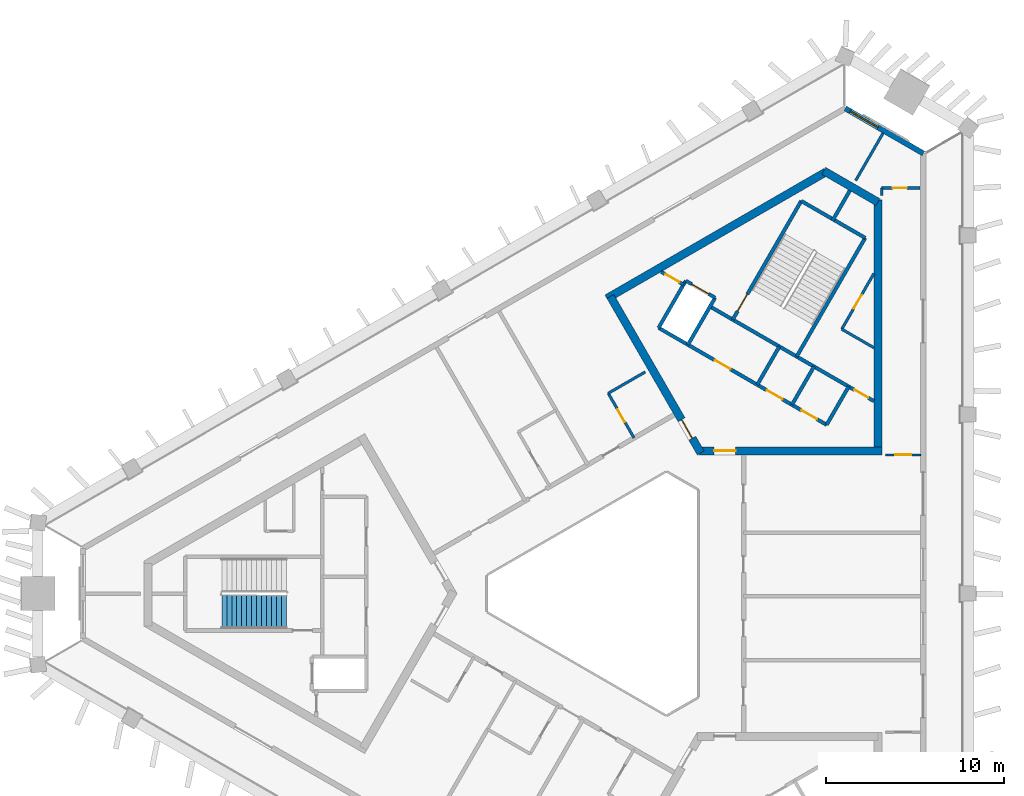
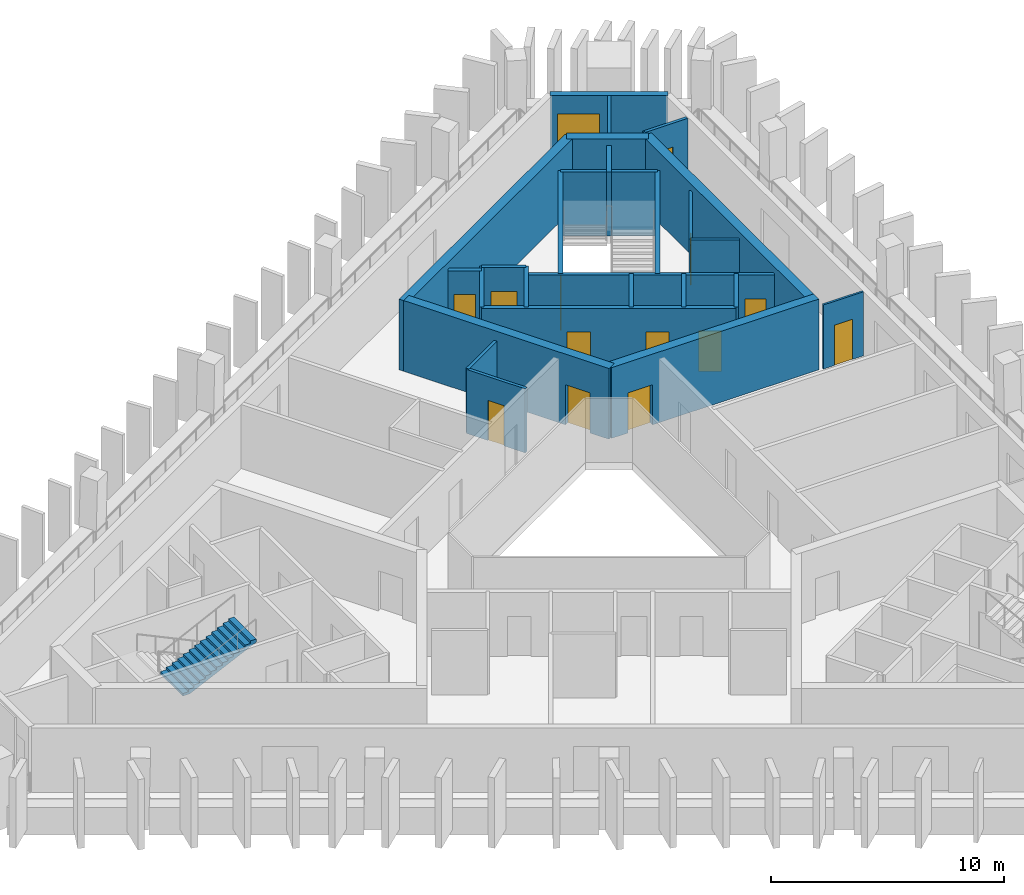
# One storey, part 5 of 9: 27 walls, 13 doors, 1 stair flight, 1 window, 14 openings, 1 element without a shape of its own.
"""IFC4 building model written with IfcOpenShell, lengths in metres."""

from ifc_helpers import new_model, si_unit, direction, frame, frame_2d, origin, place, context, subcontext, project, spatial, polyline, rectangle, outline, extrude, material, layer, layer_set, type_object, element, fill, aggregate, save


model = new_model("IFC4")

# Units and contexts
model_context = context("Model", 3, precision=1e-05, world=origin(), true_north=direction((0.0, 1.0)))
body_context = subcontext(model_context, "Body", "Model", "MODEL_VIEW")
ifc_project = project(units=[si_unit("LENGTHUNIT", "METRE"), si_unit("AREAUNIT", "SQUARE_METRE"), si_unit("VOLUMEUNIT", "CUBIC_METRE"), si_unit("PLANEANGLEUNIT", "RADIAN"), si_unit("MASSUNIT", "GRAM", prefix="KILO")], contexts=[model_context])

# Site, building, storey
site_placement = place(None, origin())
site = spatial("IfcSite", under=ifc_project, at=site_placement, CompositionType="ELEMENT")
building_placement = place(site_placement, origin())
building = spatial("IfcBuilding", under=site, at=building_placement, Name="Jabali Bay Hotel Tower and Convention Centre", CompositionType="ELEMENT")
storey_placement = place(building_placement, frame((0.0, 0.0, 242.800048828125)))
storey = spatial("IfcBuildingStorey", under=building, at=storey_placement, Name="L60", CompositionType="ELEMENT", Elevation=242.800048828125)

# Wall
ifc_material_1 = material(Name="Concrete C40", Category="concrete")
ifc_layer_1 = layer(ifc_material_1, 0.199951171875)
ifc_layer_set_1 = layer_set([ifc_layer_1], Name="Concrete C40")
wall_type_1 = type_object("IfcWallType", Name="Core partition wall 200", PredefinedType="PARTITIONING", material=ifc_layer_set_1)
wall_1_placement = place(storey_placement, frame((87.090087890625, 100.9404296875, 0.0), z_axis=(0.0, 0.0, 1.0), x_axis=(0.500011643316, 0.866018681408, 0.0)))
element("IfcWall", 1, at=wall_1_placement, inside=storey, type_object=wall_type_1, Name="Core wall 1.5 L60", PredefinedType="PARTITIONING", context=body_context, shape_type="SweptSolid", body=[
    extrude(rectangle(XDim=1.97314453125, YDim=0.199951171875, at=frame_2d((0.986572265625, 0.0))), origin(), (0.0, 0.0, 1.0), 3.349853515625),
])

# Wall, opening, door
wall_2_placement = place(storey_placement, frame((78.730224609375, 97.36083984375, 0.0), z_axis=(0.0, 0.0, 1.0), x_axis=(-0.866045896294, 0.499964504253, 0.0)))
wall_2 = element("IfcWall", 2, at=wall_2_placement, inside=storey, type_object=wall_type_1, Name="Core wall 1.11 L60", PredefinedType="PARTITIONING", context=body_context, shape_type="SweptSolid", body=[
    extrude(rectangle(XDim=1.455078125, YDim=0.199951171875, at=frame_2d((0.7275390625, 0.0))), origin(), (0.0, 0.0, 1.0), 3.349853515625),
])
opening_1_placement = place(wall_2_placement, frame((0.277587890625, 0.0, 0.0)))
opening_1 = element("IfcOpeningElement", 3, at=opening_1_placement, cuts=wall_2, Name="Opening D1318", PredefinedType="OPENING", context=body_context, shape_type="SweptSolid", body=[
    extrude(rectangle(XDim=0.89990234375, YDim=2.10009765625, at=frame_2d((0.449951171875, 1.050048828125))), frame((0.0, 0.1103515625, 0.0), z_axis=(0.0, -1.0, 0.0), x_axis=(1.0, 0.0, 0.0)), (0.0, 0.0, 1.0), 0.220947265625),
])
ifc_material_2 = material(Name="Fire-rated steel door", Category="steel")
door_type_1 = type_object("IfcDoorType", Name="Vestibule fire door 900 x 2100", OperationType="NOTDEFINED", PredefinedType="NOTDEFINED", material=ifc_material_2)
door_1_placement = place(opening_1_placement, origin())
door_1 = element("IfcDoor", 4, at=door_1_placement, inside=storey, type_object=door_type_1, Name="Vestibule fire door D1318", OperationType="SINGLE_SWING_LEFT", OverallHeight=2.10009765625, OverallWidth=0.89990234375, PredefinedType="NOTDEFINED", context=body_context, shape_type="SweptSolid", body=[
    extrude(rectangle(XDim=0.89990234375, YDim=2.10009765625, at=frame_2d((0.449951171875, 1.050048828125))), frame((0.0, 0.02490234375, 0.0), z_axis=(0.0, -1.0, 0.0), x_axis=(1.0, 0.0, 0.0)), (0.0, 0.0, 1.0), 0.050048828125),
])
fill(opening_1, door_1)

ifc_material_3 = material(Name="Fire-rated board partition")
ifc_layer_2 = layer(ifc_material_3, 0.14990234375)
ifc_layer_set_2 = layer_set([ifc_layer_2], Name="Fire-rated board partition")
wall_type_2 = type_object("IfcWallType", Name="Core room partition 150", PredefinedType="PARTITIONING", material=ifc_layer_set_2)
wall_3_placement = place(storey_placement, frame((87.62109375, 94.8603515625, 0.0), z_axis=(0.0, 0.0, 1.0), x_axis=(0.499993116331, 0.866029378036, 0.0)))
wall_3 = element("IfcWall", 5, at=wall_3_placement, inside=storey, type_object=wall_type_2, Name="Core wall 1.1 L60", PredefinedType="PARTITIONING", context=body_context, shape_type="SweptSolid", body=[
    extrude(rectangle(XDim=3.61767578125, YDim=0.14990234375, at=frame_2d((1.808837890625, 0.0))), origin(), (0.0, 0.0, 1.0), 3.349853515625),
])
opening_2_placement = place(wall_3_placement, frame((1.33154296875, 0.0, 0.0)))
opening_2 = element("IfcOpeningElement", 6, at=opening_2_placement, cuts=wall_3, Name="Opening D1321", PredefinedType="OPENING", context=body_context, shape_type="SweptSolid", body=[
    extrude(rectangle(XDim=0.89990234375, YDim=2.10009765625, at=frame_2d((0.449951171875, 1.050048828125))), frame((0.0, 0.08544921875, 0.0), z_axis=(0.0, -1.0, 0.0), x_axis=(1.0, 0.0, 0.0)), (0.0, 0.0, 1.0), 0.1708984375),
])
door_type_2 = type_object("IfcDoorType", Name="Core room door 900 x 2100", OperationType="NOTDEFINED", PredefinedType="NOTDEFINED", material=ifc_material_2)
door_2_placement = place(opening_2_placement, origin())
door_2 = element("IfcDoor", 7, at=door_2_placement, inside=storey, type_object=door_type_2, Name="Core room door D1321", OperationType="SINGLE_SWING_LEFT", OverallHeight=2.10009765625, OverallWidth=0.89990234375, PredefinedType="NOTDEFINED", context=body_context, shape_type="SweptSolid", body=[
    extrude(rectangle(XDim=0.89990234375, YDim=2.10009765625, at=frame_2d((0.449951171875, 1.050048828125))), frame((0.0, 0.02490234375, 0.0), z_axis=(0.0, -1.0, 0.0), x_axis=(1.0, 0.0, 0.0)), (0.0, 0.0, 1.0), 0.050048828125),
])
fill(opening_2, door_2)

# Walls
wall_4_placement = place(storey_placement, frame((89.429931640625, 93.81591796875, 0.0), z_axis=(0.0, 0.0, 1.0), x_axis=(-0.866004557827, 0.500036104519, 0.0)))
element("IfcWall", 8, at=wall_4_placement, inside=storey, type_object=wall_type_2, Name="Core wall 1.13 L60", PredefinedType="PARTITIONING", context=body_context, shape_type="SweptSolid", body=[
    extrude(rectangle(XDim=2.088623046875, YDim=0.14990234375, at=frame_2d((1.04443359375, 0.0))), origin(), (0.0, 0.0, 1.0), 3.349853515625),
])
ifc_layer_3 = layer(ifc_material_1, 0.199951171875)
ifc_layer_set_3 = layer_set([ifc_layer_3], Name="Concrete C40")
wall_type_3 = type_object("IfcWallType", Name="Core stair wall 200", PredefinedType="SOLIDWALL", material=ifc_layer_set_3)
for number, where, z_axis, x_axis, name in (
    (9, (86.769775390625, 89.48583984375, 0.0), (0.0, 0.0, 1.0), (0.499961042966, 0.86604789447, 0.0), "Core wall 1.0 L60"),
    (10, (84.8212890625, 90.61083984375, 0.0), (0.0, 0.0, 1.0), (0.499961042966, 0.86604789447, 0.0), "Core wall 1.2 L60"),
):
    element("IfcWall", number, at=place(storey_placement, frame(where, z_axis=z_axis, x_axis=x_axis)), inside=storey, type_object=wall_type_3, Name=name, PredefinedType="SOLIDWALL", context=body_context, shape_type="SweptSolid", body=[
        extrude(rectangle(XDim=2.480224609375, YDim=0.199951171875, at=frame_2d((1.240234375, 0.0))), origin(), (0.0, 0.0, 1.0), 3.349853515625),
    ])
wall_5_placement = place(storey_placement, frame((85.0869140625, 93.3212890625, 0.0), z_axis=(0.0, 0.0, 1.0), x_axis=(0.500019787375, 0.866013979237, 0.0)))
element("IfcWall", 11, at=wall_5_placement, inside=storey, type_object=wall_type_3, Name="Core wall 1.3 L60", PredefinedType="SOLIDWALL", context=body_context, shape_type="SweptSolid", body=[
    extrude(rectangle(XDim=7.699951171875, YDim=0.199951171875, at=frame_2d((3.85009765625, 0.0))), origin(), (0.0, 0.0, 1.0), 3.349853515625),
])
wall_6_placement = place(storey_placement, frame((82.872802734375, 91.73583984375, 0.0), z_axis=(0.0, 0.0, 1.0), x_axis=(0.499961042966, 0.86604789447, 0.0)))
element("IfcWall", 12, at=wall_6_placement, inside=storey, type_object=wall_type_3, Name="Core wall 1.4 L60", PredefinedType="SOLIDWALL", context=body_context, shape_type="SweptSolid", body=[
    extrude(rectangle(XDim=2.480224609375, YDim=0.199951171875, at=frame_2d((1.240234375, 0.0))), origin(), (0.0, 0.0, 1.0), 3.349853515625),
])

# Wall, opening, door
wall_7_placement = place(storey_placement, frame((81.492919921875, 95.396240234375, 0.0), z_axis=(0.0, 0.0, 1.0), x_axis=(0.500006057782, 0.866021906294, 0.0)))
wall_7 = element("IfcWall", 13, at=wall_7_placement, inside=storey, type_object=wall_type_3, Name="Core wall 1.6 L60", PredefinedType="SOLIDWALL", context=body_context, shape_type="SweptSolid", body=[
    extrude(rectangle(XDim=7.7001953125, YDim=0.199951171875, at=frame_2d((3.85009765625, 0.0))), origin(), (0.0, 0.0, 1.0), 3.349853515625),
])
opening_3_placement = place(wall_7_placement, frame((0.550048828125, 0.0, 0.0)))
opening_3 = element("IfcOpeningElement", 14, at=opening_3_placement, cuts=wall_7, Name="Opening D1320", PredefinedType="OPENING", context=body_context, shape_type="SweptSolid", body=[
    extrude(rectangle(XDim=1.10009765625, YDim=2.10009765625, at=frame_2d((0.550048828125, 1.050048828125))), frame((0.0, 0.1103515625, 0.0), z_axis=(0.0, -1.0, 0.0), x_axis=(1.0, 0.0, 0.0)), (0.0, 0.0, 1.0), 0.220947265625),
])
door_type_3 = type_object("IfcDoorType", Name="Stair fire door 1100 x 2100", OperationType="NOTDEFINED", PredefinedType="NOTDEFINED", material=ifc_material_2)
door_3_placement = place(opening_3_placement, origin())
door_3 = element("IfcDoor", 15, at=door_3_placement, inside=storey, type_object=door_type_3, Name="Stair fire door D1320", OperationType="SINGLE_SWING_RIGHT", OverallHeight=2.10009765625, OverallWidth=1.10009765625, PredefinedType="NOTDEFINED", context=body_context, shape_type="SweptSolid", body=[
    extrude(rectangle(XDim=1.10009765625, YDim=2.10009765625, at=frame_2d((0.550048828125, 1.050048828125))), frame((0.0, 0.02490234375, 0.0), z_axis=(0.0, -1.0, 0.0), x_axis=(1.0, 0.0, 0.0)), (0.0, 0.0, 1.0), 0.050048828125),
])
fill(opening_3, door_3)

# Walls
for number, where, z_axis, x_axis, name in (
    (16, (78.9755859375, 93.98583984375, 0.0), (0.0, 0.0, 1.0), (0.499944174705, 0.866057632134, 0.0), "Core wall 1.7 L60"),
    (17, (77.330078125, 94.93603515625, 0.0), (0.0, 0.0, 1.0), (0.500038867431, 0.8660029625, 0.0), "Core wall 1.8 L60"),
):
    element("IfcWall", number, at=place(storey_placement, frame(where, z_axis=z_axis, x_axis=x_axis)), inside=storey, type_object=wall_type_3, Name=name, PredefinedType="SOLIDWALL", context=body_context, shape_type="SweptSolid", body=[
        extrude(rectangle(XDim=3.050048828125, YDim=0.199951171875, at=frame_2d((1.52490234375, 0.0))), origin(), (0.0, 0.0, 1.0), 3.349853515625),
    ])

# Wall, openings, doors
wall_8_placement = place(storey_placement, frame((86.769775390625, 89.48583984375, 0.0), z_axis=(0.0, 0.0, 1.0), x_axis=(-0.86601811187, 0.500012629753, 0.0)))
wall_8 = element("IfcWall", 18, at=wall_8_placement, inside=storey, type_object=wall_type_3, Name="Core wall 1.9 L60", PredefinedType="SOLIDWALL", context=body_context, shape_type="SweptSolid", body=[
    extrude(rectangle(XDim=10.900146484375, YDim=0.199951171875, at=frame_2d((5.4501953125, 0.0))), origin(), (0.0, 0.0, 1.0), 3.349853515625),
])
opening_4_placement = place(wall_8_placement, frame((0.625, 0.0, 0.0)))
opening_4 = element("IfcOpeningElement", 19, at=opening_4_placement, cuts=wall_8, Name="Opening D1315", PredefinedType="OPENING", context=body_context, shape_type="SweptSolid", body=[
    extrude(rectangle(XDim=1.0, YDim=2.10009765625, at=frame_2d((0.5, 1.050048828125))), frame((0.0, 0.1103515625, 0.0), z_axis=(0.0, -1.0, 0.0), x_axis=(1.0, 0.0, 0.0)), (0.0, 0.0, 1.0), 0.220947265625),
])
opening_5_placement = place(wall_8_placement, frame((2.875, 0.0, 0.0)))
opening_5 = element("IfcOpeningElement", 20, at=opening_5_placement, cuts=wall_8, Name="Opening D1316", PredefinedType="OPENING", context=body_context, shape_type="SweptSolid", body=[
    extrude(rectangle(XDim=1.0, YDim=2.10009765625, at=frame_2d((0.5, 1.050048828125))), frame((0.0, 0.1103515625, 0.0), z_axis=(0.0, -1.0, 0.0), x_axis=(1.0, 0.0, 0.0)), (0.0, 0.0, 1.0), 0.220947265625),
])
opening_6_placement = place(wall_8_placement, frame((6.25, 0.0, 0.0)))
opening_6 = element("IfcOpeningElement", 21, at=opening_6_placement, cuts=wall_8, Name="Opening D1317", PredefinedType="OPENING", context=body_context, shape_type="SweptSolid", body=[
    extrude(rectangle(XDim=1.0, YDim=2.10009765625, at=frame_2d((0.5, 1.050048828125))), frame((0.0, 0.1103515625, 0.0), z_axis=(0.0, -1.0, 0.0), x_axis=(1.0, 0.0, 0.0)), (0.0, 0.0, 1.0), 0.220947265625),
])
door_type_4 = type_object("IfcDoorType", Name="Core room door 1000 x 2100", OperationType="NOTDEFINED", PredefinedType="NOTDEFINED", material=ifc_material_2)
door_4_placement = place(opening_4_placement, origin())
door_4 = element("IfcDoor", 22, at=door_4_placement, inside=storey, type_object=door_type_4, Name="Core room door D1315", OperationType="SINGLE_SWING_RIGHT", OverallHeight=2.10009765625, OverallWidth=1.0, PredefinedType="NOTDEFINED", context=body_context, shape_type="SweptSolid", body=[
    extrude(rectangle(XDim=1.0, YDim=2.10009765625, at=frame_2d((0.5, 1.050048828125))), frame((0.0, 0.02490234375, 0.0), z_axis=(0.0, -1.0, 0.0), x_axis=(1.0, 0.0, 0.0)), (0.0, 0.0, 1.0), 0.050048828125),
])
fill(opening_4, door_4)
door_5_placement = place(opening_5_placement, origin())
door_5 = element("IfcDoor", 23, at=door_5_placement, inside=storey, type_object=door_type_4, Name="Core room door D1316", OperationType="SINGLE_SWING_RIGHT", OverallHeight=2.10009765625, OverallWidth=1.0, PredefinedType="NOTDEFINED", context=body_context, shape_type="SweptSolid", body=[
    extrude(rectangle(XDim=1.0, YDim=2.10009765625, at=frame_2d((0.5, 1.050048828125))), frame((0.0, 0.02490234375, 0.0), z_axis=(0.0, -1.0, 0.0), x_axis=(1.0, 0.0, 0.0)), (0.0, 0.0, 1.0), 0.050048828125),
])
fill(opening_5, door_5)
door_6_placement = place(opening_6_placement, origin())
door_6 = element("IfcDoor", 24, at=door_6_placement, inside=storey, type_object=door_type_4, Name="Core room door D1317", OperationType="SINGLE_SWING_RIGHT", OverallHeight=2.10009765625, OverallWidth=1.0, PredefinedType="NOTDEFINED", context=body_context, shape_type="SweptSolid", body=[
    extrude(rectangle(XDim=1.0, YDim=2.10009765625, at=frame_2d((0.5, 1.050048828125))), frame((0.0, 0.02490234375, 0.0), z_axis=(0.0, -1.0, 0.0), x_axis=(1.0, 0.0, 0.0)), (0.0, 0.0, 1.0), 0.050048828125),
])
fill(opening_6, door_6)

# Wall, opening, door
wall_9_placement = place(storey_placement, frame((89.429931640625, 90.813720703125, 0.0), z_axis=(0.0, 0.0, 1.0), x_axis=(-0.866018983788, 0.500011119594, 0.0)))
wall_9 = element("IfcWall", 25, at=wall_9_placement, inside=storey, type_object=wall_type_3, Name="Core wall 1.10 L60", PredefinedType="SOLIDWALL", context=body_context, shape_type="SweptSolid", body=[
    extrude(rectangle(XDim=10.639892578125, YDim=0.199951171875, at=frame_2d((5.31982421875, 0.0))), origin(), (0.0, 0.0, 1.0), 3.349853515625),
])
opening_7_placement = place(wall_9_placement, frame((0.369873046875, 0.0, 0.0)))
opening_7 = element("IfcOpeningElement", 26, at=opening_7_placement, cuts=wall_9, Name="Opening D1319", PredefinedType="OPENING", context=body_context, shape_type="SweptSolid", body=[
    extrude(rectangle(XDim=0.89990234375, YDim=2.10009765625, at=frame_2d((0.449951171875, 1.050048828125))), frame((0.0, 0.1103515625, 0.0), z_axis=(0.0, -1.0, 0.0), x_axis=(1.0, 0.0, 0.0)), (0.0, 0.0, 1.0), 0.220947265625),
])
door_7_placement = place(opening_7_placement, origin())
door_7 = element("IfcDoor", 27, at=door_7_placement, inside=storey, type_object=door_type_1, Name="Vestibule fire door D1319", OperationType="SINGLE_SWING_LEFT", OverallHeight=2.10009765625, OverallWidth=0.89990234375, PredefinedType="NOTDEFINED", context=body_context, shape_type="SweptSolid", body=[
    extrude(rectangle(XDim=0.89990234375, YDim=2.10009765625, at=frame_2d((0.449951171875, 1.050048828125))), frame((0.0, 0.02490234375, 0.0), z_axis=(0.0, -1.0, 0.0), x_axis=(1.0, 0.0, 0.0)), (0.0, 0.0, 1.0), 0.050048828125),
])
fill(opening_7, door_7)

wall_10_placement = place(storey_placement, frame((80.50048828125, 96.62744140625, 0.0), z_axis=(0.0, 0.0, 1.0), x_axis=(-0.86601224135, 0.500022797313, 0.0)))
wall_10 = element("IfcWall", 28, at=wall_10_placement, inside=storey, type_object=wall_type_3, Name="Core wall 1.12 L60", PredefinedType="SOLIDWALL", context=body_context, shape_type="SweptSolid", body=[
    extrude(rectangle(XDim=1.89990234375, YDim=0.199951171875, at=frame_2d((0.949951171875, 0.0))), origin(), (0.0, 0.0, 1.0), 3.349853515625),
])
opening_8_placement = place(wall_10_placement, frame((0.39990234375, 0.0, 0.0)))
opening_8 = element("IfcOpeningElement", 29, at=opening_8_placement, cuts=wall_10, Name="Opening LD10-L60", PredefinedType="OPENING", context=body_context, shape_type="SweptSolid", body=[
    extrude(rectangle(XDim=1.10009765625, YDim=2.10009765625, at=frame_2d((0.550048828125, 1.050048828125))), frame((0.0, 0.1103515625, 0.0), z_axis=(0.0, -1.0, 0.0), x_axis=(1.0, 0.0, 0.0)), (0.0, 0.0, 1.0), 0.220947265625),
])
ifc_material_4 = material(Name="Stainless steel landing door", Category="steel")
door_type_5 = type_object("IfcDoorType", Name="Landing door 1100 x 2100", OperationType="NOTDEFINED", PredefinedType="NOTDEFINED", material=ifc_material_4)
door_8_placement = place(opening_8_placement, origin())
door_8 = element("IfcDoor", 30, at=door_8_placement, inside=storey, type_object=door_type_5, Name="Landing doors LD10-L60", OperationType="SLIDING_TO_RIGHT", OverallHeight=2.10009765625, OverallWidth=1.10009765625, PredefinedType="NOTDEFINED", context=body_context, shape_type="SweptSolid", body=[
    extrude(rectangle(XDim=1.10009765625, YDim=2.10009765625, at=frame_2d((0.550048828125, 1.050048828125))), frame((0.0, 0.02490234375, 0.0), z_axis=(0.0, -1.0, 0.0), x_axis=(1.0, 0.0, 0.0)), (0.0, 0.0, 1.0), 0.050048828125),
])
fill(opening_8, door_8)

# Wall
wall_11_placement = place(storey_placement, frame((88.93701171875, 99.989501953125, 0.0), z_axis=(0.0, 0.0, 1.0), x_axis=(-0.866004344652, 0.500036473714, 0.0)))
element("IfcWall", 31, at=wall_11_placement, inside=storey, type_object=wall_type_3, Name="Core wall 1.14 L60", PredefinedType="SOLIDWALL", context=body_context, shape_type="SweptSolid", body=[
    extrude(rectangle(XDim=4.150146484375, YDim=0.199951171875, at=frame_2d((2.0751953125, 0.0))), origin(), (0.0, 0.0, 1.0), 3.349853515625),
])

# Wall, opening, door
ifc_material_5 = material(Name="Concrete C60", Category="concrete")
ifc_layer_4 = layer(ifc_material_5, 0.449951171875)
ifc_layer_set_4 = layer_set([ifc_layer_4], Name="Concrete C60")
wall_type_4 = type_object("IfcWallType", Name="Core wall 450", PredefinedType="SHEAR", material=ifc_layer_set_4)
wall_12_placement = place(storey_placement, frame((79.6298828125, 88.019287109375, 0.0), z_axis=(0.0, 0.0, 1.0), x_axis=(1.0, 0.0, 0.0)))
wall_12 = element("IfcWall", 32, at=wall_12_placement, inside=storey, type_object=wall_type_4, Name="Core wall 2.1 L60", PredefinedType="SHEAR", context=body_context, shape_type="SweptSolid", body=[
    extrude(rectangle(XDim=10.25, YDim=0.449951171875, at=frame_2d((5.125, 0.0))), origin(), (0.0, 0.0, 1.0), 3.699951171875),
])
opening_9_placement = place(wall_12_placement, frame((0.820068359375, 0.0, 0.0)))
opening_9 = element("IfcOpeningElement", 33, at=opening_9_placement, cuts=wall_12, Name="Opening D1313", PredefinedType="OPENING", context=body_context, shape_type="SweptSolid", body=[
    extrude(rectangle(XDim=1.199951171875, YDim=2.10009765625, at=frame_2d((0.60009765625, 1.050048828125))), frame((0.0, 0.2353515625, 0.0), z_axis=(0.0, -1.0, 0.0), x_axis=(1.0, 0.0, 0.0)), (0.0, 0.0, 1.0), 0.470947265625),
])
door_type_6 = type_object("IfcDoorType", Name="Corridor end fire door 1200 x 2100", OperationType="NOTDEFINED", PredefinedType="NOTDEFINED", material=ifc_material_2)
door_9_placement = place(opening_9_placement, origin())
door_9 = element("IfcDoor", 34, at=door_9_placement, inside=storey, type_object=door_type_6, Name="Corridor end fire door D1313", OperationType="SINGLE_SWING_RIGHT", OverallHeight=2.10009765625, OverallWidth=1.199951171875, PredefinedType="NOTDEFINED", context=body_context, shape_type="SweptSolid", body=[
    extrude(rectangle(XDim=1.199951171875, YDim=2.10009765625, at=frame_2d((0.60009765625, 1.050048828125))), frame((0.0, 0.02490234375, 0.0), z_axis=(0.0, -1.0, 0.0), x_axis=(1.0, 0.0, 0.0)), (0.0, 0.0, 1.0), 0.050048828125),
])
fill(opening_9, door_9)

# Walls
wall_13_placement = place(storey_placement, frame((89.655029296875, 88.019287109375, 0.0), z_axis=(0.0, 0.0, 1.0), x_axis=(0.0, 1.0, 0.0)))
element("IfcWall", 35, at=wall_13_placement, inside=storey, type_object=wall_type_4, Name="Core wall 2.2 L60", PredefinedType="SHEAR", context=body_context, shape_type="SweptSolid", body=[
    extrude(rectangle(XDim=14.1083984375, YDim=0.449951171875, at=frame_2d((7.05419921875, 0.0))), origin(), (0.0, 0.0, 1.0), 3.699951171875),
])
wall_14_placement = place(storey_placement, frame((89.655029296875, 101.997802734375, 0.0), z_axis=(0.0, 0.0, 1.0), x_axis=(-0.866042179588, 0.49997094233, 0.0)))
element("IfcWall", 36, at=wall_14_placement, inside=storey, type_object=wall_type_4, Name="Core wall 2.3 L60", PredefinedType="SHEAR", context=body_context, shape_type="SweptSolid", body=[
    extrude(rectangle(XDim=3.515380859375, YDim=0.449951171875, at=frame_2d((1.7578125, 0.0))), origin(), (0.0, 0.0, 1.0), 3.699951171875),
])
wall_15_placement = place(storey_placement, frame((86.72314453125, 103.6904296875, 0.0), z_axis=(0.0, 0.0, 1.0), x_axis=(-0.866022713978, -0.500004658852, 0.0)))
element("IfcWall", 37, at=wall_15_placement, inside=storey, type_object=wall_type_4, Name="Core wall 2.4 L60", PredefinedType="SHEAR", context=body_context, shape_type="SweptSolid", body=[
    extrude(rectangle(XDim=14.203369140625, YDim=0.449951171875, at=frame_2d((7.1015625, 0.0))), origin(), (0.0, 0.0, 1.0), 3.699951171875),
])

# Wall, opening, door
wall_16_placement = place(storey_placement, frame((74.617431640625, 96.701171875, 0.0), z_axis=(0.0, 0.0, 1.0), x_axis=(0.499994385119, -0.866028645513, 0.0)))
wall_16 = element("IfcWall", 38, at=wall_16_placement, inside=storey, type_object=wall_type_4, Name="Core wall 2.5 L60", PredefinedType="SHEAR", context=body_context, shape_type="SweptSolid", body=[
    extrude(rectangle(XDim=10.15478515625, YDim=0.449951171875, at=frame_2d((5.077392578125, 0.0))), origin(), (0.0, 0.0, 1.0), 3.699951171875),
])
opening_10_placement = place(wall_16_placement, frame((8.0048828125, 0.0, 0.0)))
opening_10 = element("IfcOpeningElement", 39, at=opening_10_placement, cuts=wall_16, Name="Opening D1314", PredefinedType="OPENING", context=body_context, shape_type="SweptSolid", body=[
    extrude(rectangle(XDim=1.199951171875, YDim=2.10009765625, at=frame_2d((0.60009765625, 1.050048828125))), frame((0.0, 0.2353515625, 0.0), z_axis=(0.0, -1.0, 0.0), x_axis=(1.0, 0.0, 0.0)), (0.0, 0.0, 1.0), 0.470947265625),
])
door_10_placement = place(opening_10_placement, origin())
door_10 = element("IfcDoor", 40, at=door_10_placement, inside=storey, type_object=door_type_6, Name="Corridor end fire door D1314", OperationType="SINGLE_SWING_LEFT", OverallHeight=2.10009765625, OverallWidth=1.199951171875, PredefinedType="NOTDEFINED", context=body_context, shape_type="SweptSolid", body=[
    extrude(rectangle(XDim=1.199951171875, YDim=2.10009765625, at=frame_2d((0.60009765625, 1.050048828125))), frame((0.0, 0.02490234375, 0.0), z_axis=(0.0, -1.0, 0.0), x_axis=(1.0, 0.0, 0.0)), (0.0, 0.0, 1.0), 0.050048828125),
])
fill(opening_10, door_10)

# Wall, opening, window
ifc_layer_5 = layer(ifc_material_1, 0.300048828125)
ifc_layer_set_5 = layer_set([ifc_layer_5], Name="Concrete C40")
wall_type_5 = type_object("IfcWallType", Name="External wall 300", PredefinedType="SOLIDWALL", material=ifc_layer_set_5)
wall_17_placement = place(storey_placement, frame((87.82080078125, 107.267333984375, 0.0), z_axis=(0.0, 0.0, 1.0), x_axis=(0.866028941823, -0.499993871887, 0.0)))
wall_17 = element("IfcWall", 41, at=wall_17_placement, inside=storey, type_object=wall_type_5, Name="External wall north-east chamfer L60", PredefinedType="SOLIDWALL", context=body_context, shape_type="SweptSolid", body=[
    extrude(rectangle(XDim=5.06103515625, YDim=0.300048828125, at=frame_2d((2.530517578125, 0.0))), origin(), (0.0, 0.0, 1.0), 3.349853515625),
])
opening_11_placement = place(wall_17_placement, frame((0.322509765625, 0.0, 0.89990234375)))
opening_11 = element("IfcOpeningElement", 42, at=opening_11_placement, cuts=wall_17, Name="Opening W1", PredefinedType="OPENING", context=body_context, shape_type="SweptSolid", body=[
    extrude(rectangle(XDim=1.800048828125, YDim=1.5, at=frame_2d((0.89990234375, 0.75))), frame((0.0, 0.16064453125, 0.0), z_axis=(0.0, -1.0, 0.0), x_axis=(1.0, 0.0, 0.0)), (0.0, 0.0, 1.0), 0.321044921875),
])
ifc_material_6 = material(Name="Glass", Category="glass")
window_type = type_object("IfcWindowType", Name="Window 1800 x 1500", PartitioningType="SINGLE_PANEL", PredefinedType="WINDOW", material=ifc_material_6)
window_placement = place(opening_11_placement, origin())
window = element("IfcWindow", 43, at=window_placement, inside=storey, type_object=window_type, Name="Window 6005", OverallHeight=1.5, OverallWidth=1.800048828125, PartitioningType="SINGLE_PANEL", PredefinedType="WINDOW", context=body_context, shape_type="SweptSolid", body=[
    extrude(rectangle(XDim=1.800048828125, YDim=1.5, at=frame_2d((0.89990234375, 0.75))), frame((0.0, 0.030029296875, 0.0), z_axis=(0.0, -1.0, 0.0), x_axis=(1.0, 0.0, 0.0)), (0.0, 0.0, 1.0), 0.06005859375),
])
fill(opening_11, window)

# Wall, opening, door
ifc_material_7 = material(Name="Plasterboard on steel stud", Category="steel")
ifc_layer_6 = layer(ifc_material_7, 0.10009765625)
ifc_layer_set_6 = layer_set([ifc_layer_6], Name="Plasterboard on steel stud")
wall_type_6 = type_object("IfcWallType", Name="Partition 100 unit", PredefinedType="PARTITIONING", material=ifc_layer_set_6)
wall_18_placement = place(storey_placement, frame((92.0546875, 87.794189453125, 0.0), z_axis=(0.0, 0.0, 1.0), x_axis=(-1.0, 0.0, 0.0)))
wall_18 = element("IfcWall", 44, at=wall_18_placement, inside=storey, type_object=wall_type_6, Name="Partition P02 L60 008", PredefinedType="PARTITIONING", context=body_context, shape_type="SweptSolid", body=[
    extrude(rectangle(XDim=1.9755859375, YDim=0.10009765625, at=frame_2d((0.98779296875, 0.0))), origin(), (0.0, 0.0, 1.0), 3.349853515625),
])
opening_12_placement = place(wall_18_placement, frame((0.5380859375, 0.0, 0.0)))
opening_12 = element("IfcOpeningElement", 45, at=opening_12_placement, cuts=wall_18, Name="Opening 6007", PredefinedType="OPENING", context=body_context, shape_type="SweptSolid", body=[
    extrude(rectangle(XDim=0.89990234375, YDim=2.10009765625, at=frame_2d((0.449951171875, 1.050048828125))), frame((0.0, 0.060546875, 0.0), z_axis=(0.0, -1.0, 0.0), x_axis=(1.0, 0.0, 0.0)), (0.0, 0.0, 1.0), 0.12109375),
])
ifc_material_8 = material(Name="Timber", Category="wood")
door_type_7 = type_object("IfcDoorType", Name="Internal door 900 x 2100", OperationType="NOTDEFINED", PredefinedType="NOTDEFINED", material=ifc_material_8)
door_11_placement = place(opening_12_placement, origin())
door_11 = element("IfcDoor", 46, at=door_11_placement, inside=storey, type_object=door_type_7, Name="Door 6007", OperationType="SINGLE_SWING_RIGHT", OverallHeight=2.10009765625, OverallWidth=0.89990234375, PredefinedType="NOTDEFINED", context=body_context, shape_type="SweptSolid", body=[
    extrude(rectangle(XDim=0.89990234375, YDim=2.10009765625, at=frame_2d((0.449951171875, 1.050048828125))), frame((0.0, 0.02490234375, 0.0), z_axis=(0.0, -1.0, 0.0), x_axis=(1.0, 0.0, 0.0)), (0.0, 0.0, 1.0), 0.050048828125),
])
fill(opening_12, door_11)

ifc_layer_7 = layer(ifc_material_7, 0.14990234375)
ifc_layer_set_7 = layer_set([ifc_layer_7], Name="Plasterboard on steel stud")
wall_type_7 = type_object("IfcWallType", Name="Partition 150 wet", PredefinedType="PARTITIONING", material=ifc_layer_set_7)
wall_19_placement = place(storey_placement, frame((92.013671875, 102.794189453125, 0.0), z_axis=(0.0, 0.0, 1.0), x_axis=(-1.0, 0.0, 0.0)))
wall_19 = element("IfcWall", 47, at=wall_19_placement, inside=storey, type_object=wall_type_7, Name="Partition P03 L60 009", PredefinedType="PARTITIONING", context=body_context, shape_type="SweptSolid", body=[
    extrude(rectangle(XDim=2.152587890625, YDim=0.14990234375, at=frame_2d((1.076171875, 0.0))), origin(), (0.0, 0.0, 1.0), 3.349853515625),
])
opening_13_placement = place(wall_19_placement, frame((0.732421875, 0.0, 0.0)))
opening_13 = element("IfcOpeningElement", 48, at=opening_13_placement, cuts=wall_19, Name="Opening 6008", PredefinedType="OPENING", context=body_context, shape_type="SweptSolid", body=[
    extrude(rectangle(XDim=0.800048828125, YDim=2.10009765625, at=frame_2d((0.39990234375, 1.050048828125))), frame((0.0, 0.08544921875, 0.0), z_axis=(0.0, -1.0, 0.0), x_axis=(1.0, 0.0, 0.0)), (0.0, 0.0, 1.0), 0.1708984375),
])
door_type_8 = type_object("IfcDoorType", Name="En-suite door 800 x 2100", OperationType="NOTDEFINED", PredefinedType="NOTDEFINED", material=ifc_material_8)
door_12_placement = place(opening_13_placement, origin())
door_12 = element("IfcDoor", 49, at=door_12_placement, inside=storey, type_object=door_type_8, Name="Door 6008", OperationType="SINGLE_SWING_RIGHT", OverallHeight=2.10009765625, OverallWidth=0.800048828125, PredefinedType="NOTDEFINED", context=body_context, shape_type="SweptSolid", body=[
    extrude(rectangle(XDim=0.800048828125, YDim=2.10009765625, at=frame_2d((0.39990234375, 1.050048828125))), frame((0.0, 0.02490234375, 0.0), z_axis=(0.0, -1.0, 0.0), x_axis=(1.0, 0.0, 0.0)), (0.0, 0.0, 1.0), 0.050048828125),
])
fill(opening_13, door_12)

# Walls
wall_20_placement = place(storey_placement, frame((89.861083984375, 102.794189453125, 0.0), z_axis=(0.0, 0.0, 1.0), x_axis=(0.0, -1.0, 0.0)))
element("IfcWall", 50, at=wall_20_placement, inside=storey, type_object=wall_type_7, Name="Partition P03 L60 010", PredefinedType="PARTITIONING", context=body_context, shape_type="SweptSolid", body=[
    extrude(rectangle(XDim=0.42578125, YDim=0.14990234375, at=frame_2d((0.212890625, 0.0))), origin(), (0.0, 0.0, 1.0), 3.349853515625),
])
wall_21_placement = place(storey_placement, frame((89.938720703125, 105.87255859375, 0.0), z_axis=(0.0, 0.0, 1.0), x_axis=(-0.500008936691, -0.866020244122, 0.0)))
element("IfcWall", 51, at=wall_21_placement, inside=storey, type_object=wall_type_7, Name="Partition P03 L60 011", PredefinedType="PARTITIONING", context=body_context, shape_type="SweptSolid", body=[
    extrude(rectangle(XDim=3.07373046875, YDim=0.14990234375, at=frame_2d((1.536865234375, 0.0))), origin(), (0.0, 0.0, 1.0), 3.349853515625),
])

# Wall, opening, door
wall_22_placement = place(storey_placement, frame((75.9482421875, 88.745849609375, 0.0), z_axis=(0.0, 0.0, 1.0), x_axis=(-0.499987231761, 0.866032775405, 0.0)))
wall_22 = element("IfcWall", 52, at=wall_22_placement, inside=storey, type_object=wall_type_7, Name="Partition P03 L60 012", PredefinedType="PARTITIONING", context=body_context, shape_type="SweptSolid", body=[
    extrude(rectangle(XDim=2.89990234375, YDim=0.14990234375, at=frame_2d((1.449951171875, 0.0))), origin(), (0.0, 0.0, 1.0), 3.349853515625),
])
opening_14_placement = place(wall_22_placement, frame((1.050048828125, 0.0, 0.0)))
opening_14 = element("IfcOpeningElement", 53, at=opening_14_placement, cuts=wall_22, Name="Opening 6009", PredefinedType="OPENING", context=body_context, shape_type="SweptSolid", body=[
    extrude(rectangle(XDim=0.800048828125, YDim=2.10009765625, at=frame_2d((0.39990234375, 1.050048828125))), frame((0.0, 0.08544921875, 0.0), z_axis=(0.0, -1.0, 0.0), x_axis=(1.0, 0.0, 0.0)), (0.0, 0.0, 1.0), 0.1708984375),
])
door_13_placement = place(opening_14_placement, origin())
door_13 = element("IfcDoor", 54, at=door_13_placement, inside=storey, type_object=door_type_8, Name="Door 6009", OperationType="SINGLE_SWING_RIGHT", OverallHeight=2.10009765625, OverallWidth=0.800048828125, PredefinedType="NOTDEFINED", context=body_context, shape_type="SweptSolid", body=[
    extrude(rectangle(XDim=0.800048828125, YDim=2.10009765625, at=frame_2d((0.39990234375, 1.050048828125))), frame((0.0, 0.02490234375, 0.0), z_axis=(0.0, -1.0, 0.0), x_axis=(1.0, 0.0, 0.0)), (0.0, 0.0, 1.0), 0.050048828125),
])
fill(opening_14, door_13)

# Wall
wall_23_placement = place(storey_placement, frame((74.498291015625, 91.25732421875, 0.0), z_axis=(0.0, 0.0, 1.0), x_axis=(0.866038271014, 0.499977712642, 0.0)))
element("IfcWall", 55, at=wall_23_placement, inside=storey, type_object=wall_type_7, Name="Partition P03 L60 013", PredefinedType="PARTITIONING", context=body_context, shape_type="SweptSolid", body=[
    extrude(rectangle(XDim=2.40087890625, YDim=0.14990234375, at=frame_2d((1.200439453125, 0.0))), origin(), (0.0, 0.0, 1.0), 3.349853515625),
])

# Stair, stair flight
stair_type = type_object("IfcStairType", Name="Exit stair 1900", PredefinedType="HALF_TURN_STAIR", material=ifc_material_1)
stair_placement = place(storey_placement, origin())
stair = element("IfcStair", 56, at=stair_placement, inside=storey, type_object=stair_type, Name="L60 Exit Stair 1", PredefinedType="HALF_TURN_STAIR")
stair_flight_type = type_object("IfcStairFlightType", Name="Stair flight concrete 150", PredefinedType="STRAIGHT", material=ifc_material_1)
stair_flight_placement = place(storey_placement, frame((52.780029296875, 78.97509765625, 1.849853515625), z_axis=(0.0, 0.0, 1.0), x_axis=(1.0, 0.0, 0.0)))
stair_flight = element("IfcStairFlight", 57, at=stair_flight_placement, type_object=stair_flight_type, Name="ST1 flight 2", NumberOfRisers=14, NumberOfTreads=13, PredefinedType="STRAIGHT", RiserHeight=0.132142857, TreadLength=0.28, context=body_context, shape_type="SweptSolid", body=[
    extrude(outline(polyline([(0.0, 0.0), (0.0, 0.132080078125), (0.280029296875, 0.132080078125), (0.280029296875, 0.264404296875), (0.56005859375, 0.264404296875), (0.56005859375, 0.396484375), (0.840087890625, 0.396484375), (0.840087890625, 0.528564453125), (1.1201171875, 0.528564453125), (1.1201171875, 0.66064453125), (1.39990234375, 0.66064453125), (1.39990234375, 0.79296875), (1.679931640625, 0.79296875), (1.679931640625, 0.925048828125), (1.9599609375, 0.925048828125), (1.9599609375, 1.05712890625), (2.239990234375, 1.05712890625), (2.239990234375, 1.189208984375), (2.52001953125, 1.189208984375), (2.52001953125, 1.321533203125), (2.800048828125, 1.321533203125), (2.800048828125, 1.45361328125), (3.080078125, 1.45361328125), (3.080078125, 1.585693359375), (3.360107421875, 1.585693359375), (3.360107421875, 1.7177734375), (3.639892578125, 1.7177734375), (3.639892578125, 1.85009765625), (3.639892578125, 1.552001953125), (0.351318359375, 0.0), (0.0, 0.0)])), frame((0.0, 0.949951171875, 0.0), z_axis=(0.0, -1.0, 0.0), x_axis=(1.0, 0.0, 0.0)), (0.0, 0.0, 1.0), 1.89990234375),
])
aggregate(stair, [stair_flight])

save(model, "model.ifc")
